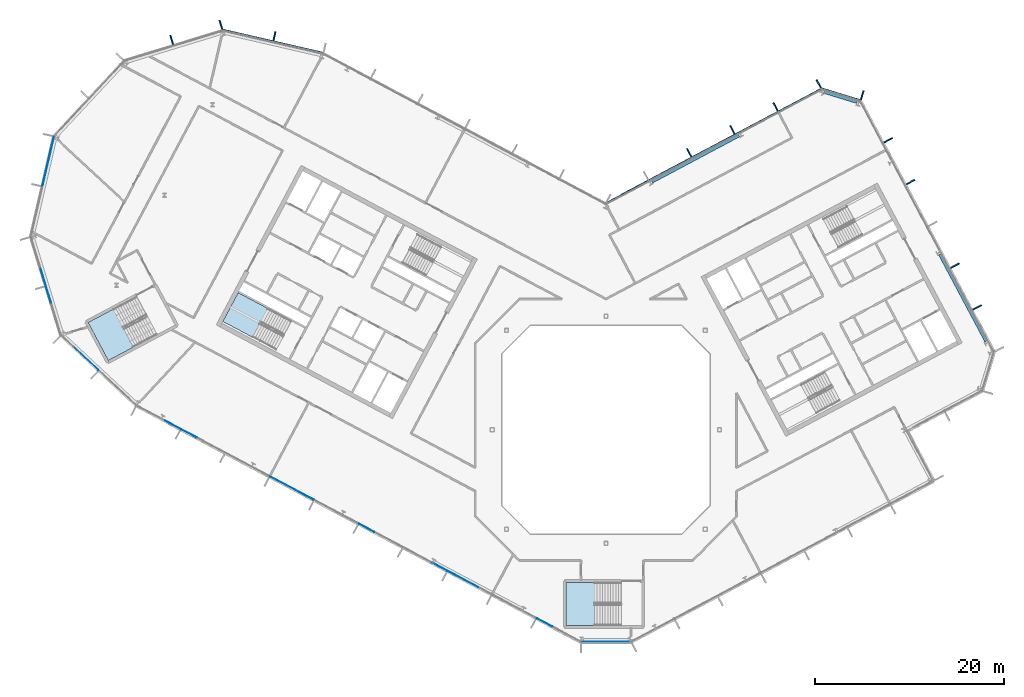
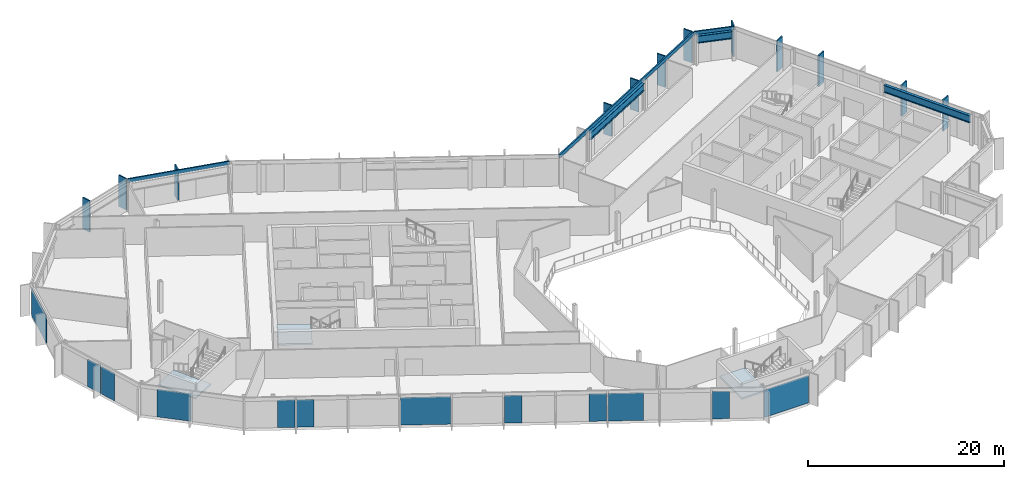
# One storey, part 10 of 26: 15 members, 12 plates, 3 beams, 3 slabs, 13 elements without a shape of their own.
"""IFC4 building model written with IfcOpenShell, lengths in metres."""

import ifcopenshell
import ifcopenshell.guid

model = None  # the IFC model being written
_history = None  # IfcOwnerHistory: only IFC2X3 demands one
_inside = {}  # id of a spatial element -> (the spatial element, [elements in it])
_under = {}  # id of a project, library or spatial element -> (it, [spatial elements below it])
_declared = {}  # id of a project -> (the project, [libraries it declares])
_typed = {}  # id of a type object -> (the type object, [elements of that type])
_made_of = {}  # id of a material, layer set ... -> (it, [elements and type objects made of it])


def new_model(schema):
    """Start an empty IFC model of exactly this schema.

    Asked for "IFC4X3", IfcOpenShell would pick the latest addendum, in which some entities
    have other attributes; the version numbers below select the first issue.
    IFC2X3 requires an IfcOwnerHistory on every rooted entity: one is made here for all.
    """
    global model, _history
    if schema == "IFC4X3":
        model = ifcopenshell.file(schema_version=(4, 3, 0, 0))
    else:
        model = ifcopenshell.file(schema=schema)
    _inside.clear()
    _under.clear()
    _declared.clear()
    _typed.clear()
    _made_of.clear()
    _history = None
    if model.schema == "IFC2X3":
        org = make("IfcOrganization", Name="unknown")
        user = make(
            "IfcPersonAndOrganization",
            ThePerson=make("IfcPerson", FamilyName="unknown"),
            TheOrganization=org,
        )
        app = make(
            "IfcApplication",
            ApplicationDeveloper=org,
            Version="unknown",
            ApplicationFullName="unknown",
            ApplicationIdentifier="unknown",
        )
        _history = make(
            "IfcOwnerHistory",
            OwningUser=user,
            OwningApplication=app,
            ChangeAction="ADDED",
            CreationDate=0,
        )
    return model


def make(cls, **values):
    """One entity of the class cls with the attributes given. An attribute that is None is left unset."""
    return model.create_entity(
        cls, **{name: value for name, value in values.items() if value is not None}
    )


def rooted(cls, **values):
    """An entity with a GlobalId (a new one), such as an element, a storey or a relation."""
    return make(cls, GlobalId=ifcopenshell.guid.new(), OwnerHistory=_history, **values)


def si_unit(unit_type, name, prefix=None):
    """IfcSIUnit, for example si_unit("LENGTHUNIT", "METRE", prefix="MILLI")."""
    return make("IfcSIUnit", UnitType=unit_type, Prefix=prefix, Name=name)


def assignment(units):
    """IfcUnitAssignment: the units of a project."""
    return None if units is None else make("IfcUnitAssignment", Units=units)


def point(xyz):
    """IfcCartesianPoint."""
    return None if xyz is None else make("IfcCartesianPoint", Coordinates=xyz)


def direction(xyz):
    """IfcDirection."""
    return None if xyz is None else make("IfcDirection", DirectionRatios=xyz)


def frame(location, z_axis=None, x_axis=None):
    """IfcAxis2Placement3D, a coordinate frame: its origin and axes. An axis left out is left unset."""
    return make(
        "IfcAxis2Placement3D",
        Location=point(location),
        Axis=direction(z_axis),
        RefDirection=direction(x_axis),
    )


def frame_2d(location, x_axis=None):
    """IfcAxis2Placement2D, a coordinate frame in the plane: its origin and x axis."""
    return make(
        "IfcAxis2Placement2D", Location=point(location), RefDirection=direction(x_axis)
    )


def origin():
    """The frame at (0, 0, 0) with its axes left unset."""
    return frame((0.0, 0.0, 0.0))


def origin_2d():
    """The frame at (0, 0) in the plane with its x axis left unset."""
    return frame_2d((0.0, 0.0))


def place(relative_to, where):
    """IfcLocalPlacement: puts the frame where relative to a parent placement (None: the world)."""
    return make(
        "IfcLocalPlacement", PlacementRelTo=relative_to, RelativePlacement=where
    )


def context(
    kind, dimensions, precision=None, world=None, true_north=None, identifier=None
):
    """IfcGeometricRepresentationContext, for example the 3D "Model" context."""
    return make(
        "IfcGeometricRepresentationContext",
        ContextIdentifier=identifier,
        ContextType=kind,
        CoordinateSpaceDimension=dimensions,
        Precision=precision,
        WorldCoordinateSystem=world,
        TrueNorth=true_north,
    )


def subcontext(parent, identifier, kind, view, scale=None):
    """IfcGeometricRepresentationSubContext, for example "Body" below "Model"."""
    return make(
        "IfcGeometricRepresentationSubContext",
        ContextIdentifier=identifier,
        ContextType=kind,
        ParentContext=parent,
        TargetScale=scale,
        TargetView=view,
    )


def project(units=None, contexts=None):
    """IfcProject with its units and contexts."""
    return rooted(
        "IfcProject",
        Name="project",
        RepresentationContexts=contexts,
        UnitsInContext=assignment(units),
    )


def spatial(cls, under=None, at=None, **own):
    """A site, building, storey or space (cls), placed at a placement, below another one or the project."""
    s = rooted(cls, ObjectPlacement=at, **own)
    if under is not None:
        _under.setdefault(under.id(), (under, []))[1].append(s)
    return s


def polyline(points):
    """IfcPolyline through the points."""
    return make("IfcPolyline", Points=[point(p) for p in points])


def profile(cls, at=None, kind="AREA", **sizes):
    """A parametric profile (cls). Its sizes go by their IFC names, for example OverallWidth=200.0."""
    return make(cls, ProfileType=kind, Position=at, **sizes)


def rectangle(**sizes):
    """IfcRectangleProfileDef."""
    return profile("IfcRectangleProfileDef", **sizes)


def i_section(**sizes):
    """IfcIShapeProfileDef."""
    return profile("IfcIShapeProfileDef", **sizes)


def outline(outer, holes=None, kind="AREA"):
    """IfcArbitraryClosedProfileDef: a profile drawn as a closed curve; with holes, ...WithVoids."""
    if holes is None:
        return make("IfcArbitraryClosedProfileDef", ProfileType=kind, OuterCurve=outer)
    return make(
        "IfcArbitraryProfileDefWithVoids",
        ProfileType=kind,
        OuterCurve=outer,
        InnerCurves=holes,
    )


def extrude(swept, where, along, depth):
    """IfcExtrudedAreaSolid: the profile swept, set in the frame where, extruded along a direction by depth."""
    return make(
        "IfcExtrudedAreaSolid",
        SweptArea=swept,
        Position=where,
        ExtrudedDirection=direction(along),
        Depth=depth,
    )


def shape(context_of_items, identifier, shape_type, items):
    """IfcShapeRepresentation: the items that make up one representation, for example the "Body"."""
    return make(
        "IfcShapeRepresentation",
        ContextOfItems=context_of_items,
        RepresentationIdentifier=identifier,
        RepresentationType=shape_type,
        Items=items,
    )


def material(Name=None, Category=None):
    """IfcMaterial."""
    return make("IfcMaterial", Name=Name, Category=Category)


def layer(
    of_material, thickness, ventilated=None, Name=None, Category=None, Priority=None
):
    """IfcMaterialLayer: one layer of a wall or slab, of a material (None: an air gap)."""
    return make(
        "IfcMaterialLayer",
        Material=of_material,
        LayerThickness=thickness,
        IsVentilated=ventilated,
        Name=Name,
        Category=Category,
        Priority=Priority,
    )


def layer_set(layers, Name=None):
    """IfcMaterialLayerSet."""
    return make("IfcMaterialLayerSet", MaterialLayers=layers, LayerSetName=Name)


def material_profile(
    of_material, cross_section, Name=None, Category=None, Priority=None
):
    """IfcMaterialProfile: a cross section and its material."""
    return make(
        "IfcMaterialProfile",
        Name=Name,
        Material=of_material,
        Profile=cross_section,
        Priority=Priority,
        Category=Category,
    )


def profile_set(profiles, Name=None, composite=None):
    """IfcMaterialProfileSet."""
    return make(
        "IfcMaterialProfileSet",
        Name=Name,
        MaterialProfiles=profiles,
        CompositeProfile=composite,
    )


def made_of(thing, what):
    """Note that an element or type object is made of a material, layer set ...; save() writes the relation."""
    if what is not None:
        _made_of.setdefault(what.id(), (what, []))[1].append(thing)
    return thing


def type_object(cls, material=None, **own):
    """A type object (cls), such as IfcWallType, which elements share."""
    return made_of(rooted(cls, **own), material)


def element(
    cls,
    number,
    at=None,
    inside=None,
    cuts=None,
    type_object=None,
    material=None,
    context=None,
    identifier="Body",
    shape_type=None,
    held_by="IfcProductDefinitionShape",
    body=None,
    shapes=None,
    **own,
):
    """One element of the class cls, such as IfcWall. Its Tag is "e" and its number.

    at: its placement. inside: the storey or other place that contains it. cuts: it is an
    opening in that element (IfcRelVoidsElement). A single representation is given by context,
    identifier, shape_type and body (its items); several are given by shapes. held_by: the class
    of the entity that holds the representations. save() writes the other relations.
    """
    e = rooted(cls, Tag="e%d" % number, ObjectPlacement=at, **own)
    if body is not None:
        shapes = [shape(context, identifier, shape_type, body)]
    if shapes is not None:
        e.Representation = make(held_by, Representations=shapes)
    if inside is not None:
        _inside.setdefault(inside.id(), (inside, []))[1].append(e)
    if cuts is not None:
        rooted(
            "IfcRelVoidsElement", RelatingBuildingElement=cuts, RelatedOpeningElement=e
        )
    if type_object is not None:
        _typed.setdefault(type_object.id(), (type_object, []))[1].append(e)
    return made_of(e, material)


def aggregate(whole, parts):
    """IfcRelAggregates: a whole, such as a stair, and the parts it consists of."""
    return rooted("IfcRelAggregates", RelatingObject=whole, RelatedObjects=parts)


def save(model, path):
    """Write the relations noted so far, then the file.

    IfcRelAggregates (storeys below a building ...), IfcRelContainedInSpatialStructure (elements
    in a storey), IfcRelDefinesByType, IfcRelAssociatesMaterial and IfcRelDeclares: one each for
    every whole, place, type object, material and project.
    """
    for whole, parts in _under.values():
        aggregate(whole, parts)
    for where, things in _inside.values():
        rooted(
            "IfcRelContainedInSpatialStructure",
            RelatedElements=things,
            RelatingStructure=where,
        )
    for kind, things in _typed.values():
        rooted("IfcRelDefinesByType", RelatedObjects=things, RelatingType=kind)
    for what, things in _made_of.values():
        rooted("IfcRelAssociatesMaterial", RelatedObjects=things, RelatingMaterial=what)
    for by, libraries in _declared.values():
        rooted("IfcRelDeclares", RelatingContext=by, RelatedDefinitions=libraries)
    model.write(path)


model = new_model("IFC4")

# Units and contexts
model_context = context("Model", 3, precision=1e-05, world=origin(), true_north=direction((0.0, 1.0)))
body_context = subcontext(model_context, "Body", "Model", "MODEL_VIEW")
ifc_project = project(units=[si_unit("LENGTHUNIT", "METRE"), si_unit("AREAUNIT", "SQUARE_METRE"), si_unit("VOLUMEUNIT", "CUBIC_METRE"), si_unit("PLANEANGLEUNIT", "RADIAN"), si_unit("MASSUNIT", "GRAM", prefix="KILO")], contexts=[model_context])

# Site, building, storey
site_placement = place(None, origin())
site = spatial("IfcSite", under=ifc_project, at=site_placement, CompositionType="ELEMENT")
building_placement = place(site_placement, origin())
building = spatial("IfcBuilding", under=site, at=building_placement, Name="Cormorant Relay Tower", CompositionType="ELEMENT")
storey_placement = place(building_placement, frame((0.0, 0.0, 277.5)))
storey = spatial("IfcBuildingStorey", under=building, at=storey_placement, Name="L62", CompositionType="ELEMENT", Elevation=277.5)

# Curtain wall, members
ifc_material_1 = material(Name="Aluminium 6063-T6 anodised bronze", Category="aluminium")
ifc_layer_1 = layer(ifc_material_1, 0.199951171875)
ifc_layer_set_1 = layer_set([ifc_layer_1], Name="CW1 unitised bronze curtain wall with vertical fins")
curtain_wall_type = type_object("IfcCurtainWallType", Name="CW1 unitised bronze curtain wall with vertical fins", PredefinedType="NOTDEFINED", material=ifc_layer_set_1)
curtain_wall_1_placement = place(storey_placement, origin())
curtain_wall_1 = element("IfcCurtainWall", 1, at=curtain_wall_1_placement, inside=storey, type_object=curtain_wall_type, Name="CW1 curtain wall 6", PredefinedType="NOTDEFINED")
ifc_material_2 = material(Name="Aluminium 6063-T6 anodised bronze", Category="aluminium")
ifc_material_profile_1 = material_profile(ifc_material_2, rectangle(XDim=0.14990234375, YDim=1.0, at=origin_2d()), Name="AL 150x1000")
ifc_profile_set_1 = profile_set([ifc_material_profile_1], Name="Aluminium 6063-T6 anodised bronze")
member_type_1 = type_object("IfcMemberType", Name="CW1 bronze fin mullion 150 x 1000", PredefinedType="MULLION", material=ifc_profile_set_1)
member_1_placement = place(storey_placement, frame((39.222412109375, 12.927001953125, 0.0), z_axis=(0.0, 0.0, 1.0), x_axis=(-0.469471562786, 0.882947592859, 0.0)))
member_1 = element("IfcMember", 2, at=member_1_placement, type_object=member_type_1, Name="CW1 fin 6.2", PredefinedType="MULLION", context=body_context, shape_type="SweptSolid", body=[
    extrude(rectangle(XDim=0.14990234375, YDim=1.0, at=origin_2d()), origin(), (0.0, 0.0, 1.0), 3.89990234375),
])
member_2_placement = place(storey_placement, frame((36.875, 17.341552734375, 0.0), z_axis=(0.0, 0.0, 1.0), x_axis=(-0.469471562786, 0.882947592859, 0.0)))
member_2 = element("IfcMember", 3, at=member_2_placement, type_object=member_type_1, Name="CW1 fin 6.3", PredefinedType="MULLION", context=body_context, shape_type="SweptSolid", body=[
    extrude(rectangle(XDim=0.14990234375, YDim=1.0, at=origin_2d()), origin(), (0.0, 0.0, 1.0), 3.89990234375),
])
member_3_placement = place(storey_placement, frame((32.18017578125, 26.171142578125, 0.0), z_axis=(0.0, 0.0, 1.0), x_axis=(-0.469471562786, 0.882947592859, 0.0)))
member_3 = element("IfcMember", 4, at=member_3_placement, type_object=member_type_1, Name="CW1 fin 6.5", PredefinedType="MULLION", context=body_context, shape_type="SweptSolid", body=[
    extrude(rectangle(XDim=0.14990234375, YDim=1.0, at=origin_2d()), origin(), (0.0, 0.0, 1.0), 3.89990234375),
])
member_4_placement = place(storey_placement, frame((29.832763671875, 30.585693359375, 0.0), z_axis=(0.0, 0.0, 1.0), x_axis=(-0.469471562786, 0.882947592859, 0.0)))
member_4 = element("IfcMember", 5, at=member_4_placement, type_object=member_type_1, Name="CW1 fin 6.6", PredefinedType="MULLION", context=body_context, shape_type="SweptSolid", body=[
    extrude(rectangle(XDim=0.14990234375, YDim=1.0, at=origin_2d()), origin(), (0.0, 0.0, 1.0), 3.89990234375),
])
aggregate(curtain_wall_1, [member_1, member_2, member_3, member_4])

# Curtain wall, member
curtain_wall_2_placement = place(storey_placement, origin())
curtain_wall_2 = element("IfcCurtainWall", 6, at=curtain_wall_2_placement, inside=storey, type_object=curtain_wall_type, Name="CW1 curtain wall 7", PredefinedType="NOTDEFINED")
member_5_placement = place(storey_placement, frame((27.072021484375, 35.34130859375, 0.0), z_axis=(0.0, 0.0, 1.0), x_axis=(-0.956304755963, 0.292371704723, 0.0)))
member_5 = element("IfcMember", 7, at=member_5_placement, type_object=member_type_1, Name="CW1 fin 7.1", PredefinedType="MULLION", context=body_context, shape_type="SweptSolid", body=[
    extrude(rectangle(XDim=0.14990234375, YDim=1.0, at=origin_2d()), origin(), (0.0, 0.0, 1.0), 3.89990234375),
])

# Curtain wall, members
curtain_wall_3_placement = place(storey_placement, origin())
curtain_wall_3 = element("IfcCurtainWall", 8, at=curtain_wall_3_placement, inside=storey, type_object=curtain_wall_type, Name="CW1 curtain wall 8", PredefinedType="NOTDEFINED")
member_6_placement = place(storey_placement, frame((22.4814453125, 36.530517578125, 0.0), z_axis=(0.0, 0.0, 1.0), x_axis=(-0.882947592859, -0.469471562786, 0.0)))
member_6 = element("IfcMember", 9, at=member_6_placement, type_object=member_type_1, Name="CW1 fin 8.1", PredefinedType="MULLION", context=body_context, shape_type="SweptSolid", body=[
    extrude(rectangle(XDim=0.14990234375, YDim=1.0, at=origin_2d()), origin(), (0.0, 0.0, 1.0), 3.89990234375),
])
member_7_placement = place(storey_placement, frame((17.91943359375, 34.104736328125, 0.0), z_axis=(0.0, 0.0, 1.0), x_axis=(-0.882947592859, -0.469471562786, 0.0)))
member_7 = element("IfcMember", 10, at=member_7_placement, type_object=member_type_1, Name="CW1 fin 8.2", PredefinedType="MULLION", context=body_context, shape_type="SweptSolid", body=[
    extrude(rectangle(XDim=0.14990234375, YDim=1.0, at=origin_2d()), origin(), (0.0, 0.0, 1.0), 3.89990234375),
])
member_8_placement = place(storey_placement, frame((13.357421875, 31.67919921875, 0.0), z_axis=(0.0, 0.0, 1.0), x_axis=(-0.882947592859, -0.469471562786, 0.0)))
member_8 = element("IfcMember", 11, at=member_8_placement, type_object=member_type_1, Name="CW1 fin 8.3", PredefinedType="MULLION", context=body_context, shape_type="SweptSolid", body=[
    extrude(rectangle(XDim=0.14990234375, YDim=1.0, at=origin_2d()), origin(), (0.0, 0.0, 1.0), 3.89990234375),
])
member_9_placement = place(storey_placement, frame((8.79541015625, 29.25341796875, 0.0), z_axis=(0.0, 0.0, 1.0), x_axis=(-0.882947592859, -0.469471562786, 0.0)))
member_9 = element("IfcMember", 12, at=member_9_placement, type_object=member_type_1, Name="CW1 fin 8.4", PredefinedType="MULLION", context=body_context, shape_type="SweptSolid", body=[
    extrude(rectangle(XDim=0.14990234375, YDim=1.0, at=origin_2d()), origin(), (0.0, 0.0, 1.0), 3.89990234375),
])

# Curtain wall, member
curtain_wall_4_placement = place(storey_placement, origin())
curtain_wall_4 = element("IfcCurtainWall", 13, at=curtain_wall_4_placement, inside=storey, type_object=curtain_wall_type, Name="CW1 curtain wall 10", PredefinedType="NOTDEFINED")
member_10_placement = place(storey_placement, frame((-35.01220703125, 41.57275390625, 0.0), z_axis=(0.0, 0.0, 1.0), x_axis=(-0.974370064785, 0.224951054344, 0.0)))
member_10 = element("IfcMember", 14, at=member_10_placement, type_object=member_type_1, Name="CW1 fin 10.2", PredefinedType="MULLION", context=body_context, shape_type="SweptSolid", body=[
    extrude(rectangle(XDim=0.14990234375, YDim=1.0, at=origin_2d()), origin(), (0.0, 0.0, 1.0), 3.89990234375),
])

# Curtain wall, members
curtain_wall_5_placement = place(storey_placement, origin())
curtain_wall_5 = element("IfcCurtainWall", 15, at=curtain_wall_5_placement, inside=storey, type_object=curtain_wall_type, Name="CW1 curtain wall 11", PredefinedType="NOTDEFINED")
member_11_placement = place(storey_placement, frame((-40.670166015625, 42.78271484375, 0.0), z_axis=(0.0, 0.0, 1.0), x_axis=(-0.956304755963, -0.292371704723, 0.0)))
member_11 = element("IfcMember", 16, at=member_11_placement, type_object=member_type_1, Name="CW1 fin 11.1", PredefinedType="MULLION", context=body_context, shape_type="SweptSolid", body=[
    extrude(rectangle(XDim=0.14990234375, YDim=1.0, at=origin_2d()), origin(), (0.0, 0.0, 1.0), 3.89990234375),
])
member_12_placement = place(storey_placement, frame((-45.867919921875, 41.193603515625, 0.0), z_axis=(0.0, 0.0, 1.0), x_axis=(-0.956304755963, -0.292371704723, 0.0)))
member_12 = element("IfcMember", 17, at=member_12_placement, type_object=member_type_1, Name="CW1 fin 11.2", PredefinedType="MULLION", context=body_context, shape_type="SweptSolid", body=[
    extrude(rectangle(XDim=0.14990234375, YDim=1.0, at=origin_2d()), origin(), (0.0, 0.0, 1.0), 3.89990234375),
])
aggregate(curtain_wall_5, [member_11, member_12])

# Member
ifc_material_3 = material(Name="Aluminium 6063-T6 anodised bronze", Category="aluminium")
ifc_material_profile_2 = material_profile(ifc_material_3, rectangle(XDim=0.159912109375, YDim=0.449951171875, at=origin_2d()), Name="AL 160x450")
ifc_profile_set_2 = profile_set([ifc_material_profile_2], Name="Aluminium 6063-T6 anodised bronze")
member_type_2 = type_object("IfcMemberType", Name="CW1 bronze transom 160 x 450", PredefinedType="USERDEFINED", material=ifc_profile_set_2)
member_13_placement = place(storey_placement, frame((26.902587890625, 34.78662109375, 3.675048828125), z_axis=(-0.956303761594, 0.292374957137, 0.0), x_axis=(-0.292374957137, -0.956303761594, 0.0)))
member_13 = element("IfcMember", 18, at=member_13_placement, type_object=member_type_2, Name="CW1 transom 7", ObjectType="TRANSOM", PredefinedType="USERDEFINED", context=body_context, shape_type="SweptSolid", body=[
    extrude(rectangle(XDim=0.159912109375, YDim=0.449951171875, at=origin_2d()), origin(), (0.0, 0.0, 1.0), 4.24267578125),
])

aggregate(curtain_wall_2, [member_5, member_13])

member_14_placement = place(storey_placement, frame((22.75390625, 36.018310546875, 3.675048828125), z_axis=(-0.882948156597, -0.469470502547, 0.0), x_axis=(0.469470502547, -0.882948156597, 0.0)))
member_14 = element("IfcMember", 19, at=member_14_placement, type_object=member_type_2, Name="CW1 transom 8", ObjectType="TRANSOM", PredefinedType="USERDEFINED", context=body_context, shape_type="SweptSolid", body=[
    extrude(rectangle(XDim=0.159912109375, YDim=0.449951171875, at=origin_2d()), origin(), (0.0, 0.0, 1.0), 25.834228515625),
])

aggregate(curtain_wall_3, [member_6, member_7, member_8, member_9, member_14])

member_15_placement = place(storey_placement, frame((-29.8466796875, 39.784912109375, 3.675048828125), z_axis=(-0.974365070969, 0.224972683844, 0.0), x_axis=(-0.224972683844, -0.974365070969, 0.0)))
member_15 = element("IfcMember", 20, at=member_15_placement, type_object=member_type_2, Name="CW1 transom 10", ObjectType="TRANSOM", PredefinedType="USERDEFINED", context=body_context, shape_type="SweptSolid", body=[
    extrude(rectangle(XDim=0.159912109375, YDim=0.449951171875, at=origin_2d()), origin(), (0.0, 0.0, 1.0), 10.870361328125),
])

aggregate(curtain_wall_4, [member_10, member_15])

# Beams
ifc_material_4 = material(Name="Steel ASTM A992 (Fy 345 MPa)", Category="steel")
ifc_material_profile_3 = material_profile(ifc_material_4, i_section(OverallWidth=0.307373046875, OverallDepth=0.927001953125, WebThickness=0.019287109375, FlangeThickness=0.031982421875, FilletRadius=0.01904296875, at=origin_2d()), Name="W920x289")
ifc_profile_set_3 = profile_set([ifc_material_profile_3], Name="Steel ASTM A992 (Fy 345 MPa)")
beam_type = type_object("IfcBeamType", Name="Spandrel W920x289", PredefinedType="SPANDREL", material=ifc_profile_set_3)
beam_1_placement = place(storey_placement, frame((40.1591796875, 9.3466796875, 3.076416015625), z_axis=(-0.469474391681, 0.882946088703, 0.0), x_axis=(-0.882946088703, -0.469474391681, 0.0)))
element("IfcBeam", 21, at=beam_1_placement, inside=storey, type_object=beam_type, Name="Spandrel beam L62-006", PredefinedType="SPANDREL", context=body_context, shape_type="SweptSolid", body=[
    extrude(i_section(OverallWidth=0.307373046875, OverallDepth=0.927001953125, WebThickness=0.019287109375, FlangeThickness=0.031982421875, FilletRadius=0.01904296875, at=origin_2d()), origin(), (0.0, 0.0, 1.0), 10.401611328125),
])
beam_2_placement = place(storey_placement, frame((26.512451171875, 34.619873046875, 3.076416015625), z_axis=(-0.956313678807, 0.292342517821, 0.0), x_axis=(-0.292342517821, -0.956313678807, 0.0)))
element("IfcBeam", 22, at=beam_2_placement, inside=storey, type_object=beam_type, Name="Spandrel beam L62-007", PredefinedType="SPANDREL", context=body_context, shape_type="SweptSolid", body=[
    extrude(i_section(OverallWidth=0.307373046875, OverallDepth=0.927001953125, WebThickness=0.019287109375, FlangeThickness=0.031982421875, FilletRadius=0.01904296875, at=origin_2d()), origin(), (0.0, 0.0, 1.0), 3.65185546875),
])
beam_3_placement = place(storey_placement, frame((14.05322265625, 31.082275390625, 3.076416015625), z_axis=(-0.882950644937, -0.469465822617, 0.0), x_axis=(0.469465822617, -0.882950644937, 0.0)))
element("IfcBeam", 23, at=beam_3_placement, inside=storey, type_object=beam_type, Name="Spandrel beam L62-008", PredefinedType="SPANDREL", context=body_context, shape_type="SweptSolid", body=[
    extrude(i_section(OverallWidth=0.307373046875, OverallDepth=0.927001953125, WebThickness=0.019287109375, FlangeThickness=0.031982421875, FilletRadius=0.01904296875, at=origin_2d()), origin(), (0.0, 0.0, 1.0), 10.4013671875),
])

# Curtain wall, plates
curtain_wall_6_placement = place(storey_placement, origin())
curtain_wall_6 = element("IfcCurtainWall", 24, at=curtain_wall_6_placement, inside=storey, type_object=curtain_wall_type, Name="CW1 curtain wall 14", PredefinedType="NOTDEFINED")
ifc_material_5 = material(Name="Tinted laminated glass", Category="glass")
ifc_layer_2 = layer(ifc_material_5, 0.0400390625)
ifc_layer_set_2 = layer_set([ifc_layer_2], Name="CW1 tinted vision panel 1800 module")
plate_type_1 = type_object("IfcPlateType", Name="CW1 tinted vision panel 1800 module", PredefinedType="CURTAIN_PANEL", material=ifc_layer_set_2)
plate_1_placement = place(storey_placement, frame((-59.434814453125, 16.122314453125, 0.0), z_axis=(0.0, 0.0, 1.0), x_axis=(0.292371704723, -0.956304755963, 0.0)))
plate_1 = element("IfcPlate", 25, at=plate_1_placement, type_object=plate_type_1, Name="CW1 panel V01", PredefinedType="CURTAIN_PANEL", context=body_context, shape_type="SweptSolid", body=[
    extrude(rectangle(XDim=1.800048828125, YDim=0.0400390625, at=origin_2d()), origin(), (0.0, 0.0, 1.0), 3.449951171875),
])
plate_2_placement = place(storey_placement, frame((-58.86474609375, 14.25732421875, 0.0), z_axis=(0.0, 0.0, 1.0), x_axis=(0.292371704723, -0.956304755963, 0.0)))
plate_2 = element("IfcPlate", 26, at=plate_2_placement, type_object=plate_type_1, Name="CW1 panel V02", PredefinedType="CURTAIN_PANEL", context=body_context, shape_type="SweptSolid", body=[
    extrude(rectangle(XDim=1.800048828125, YDim=0.0400390625, at=origin_2d()), origin(), (0.0, 0.0, 1.0), 3.449951171875),
])
aggregate(curtain_wall_6, [plate_1, plate_2])

curtain_wall_7_placement = place(storey_placement, origin())
curtain_wall_7 = element("IfcCurtainWall", 27, at=curtain_wall_7_placement, inside=storey, type_object=curtain_wall_type, Name="CW1 curtain wall 16", PredefinedType="NOTDEFINED")
plate_3_placement = place(storey_placement, frame((-45.767578125, 0.5283203125, 0.0), z_axis=(0.0, 0.0, 1.0), x_axis=(0.882947592859, -0.469471562786, 0.0)))
plate_3 = element("IfcPlate", 28, at=plate_3_placement, type_object=plate_type_1, Name="CW1 panel V01", PredefinedType="CURTAIN_PANEL", context=body_context, shape_type="SweptSolid", body=[
    extrude(rectangle(XDim=1.800048828125, YDim=0.0400390625, at=origin_2d()), origin(), (0.0, 0.0, 1.0), 3.449951171875),
])
plate_4_placement = place(storey_placement, frame((-44.0458984375, -0.38720703125, 0.0), z_axis=(0.0, 0.0, 1.0), x_axis=(0.882947592859, -0.469471562786, 0.0)))
plate_4 = element("IfcPlate", 29, at=plate_4_placement, type_object=plate_type_1, Name="CW1 panel V02", PredefinedType="CURTAIN_PANEL", context=body_context, shape_type="SweptSolid", body=[
    extrude(rectangle(XDim=1.800048828125, YDim=0.0400390625, at=origin_2d()), origin(), (0.0, 0.0, 1.0), 3.449951171875),
])
plate_5_placement = place(storey_placement, frame((-25.268798828125, -10.37109375, 0.0), z_axis=(0.0, 0.0, 1.0), x_axis=(0.882947592859, -0.469471562786, 0.0)))
plate_5 = element("IfcPlate", 30, at=plate_5_placement, type_object=plate_type_1, Name="CW1 panel V06", PredefinedType="CURTAIN_PANEL", context=body_context, shape_type="SweptSolid", body=[
    extrude(rectangle(XDim=1.800048828125, YDim=0.0400390625, at=origin_2d()), origin(), (0.0, 0.0, 1.0), 3.449951171875),
])
plate_6_placement = place(storey_placement, frame((-17.601806640625, -14.447509765625, 0.0), z_axis=(0.0, 0.0, 1.0), x_axis=(0.882947592859, -0.469471562786, 0.0)))
plate_6 = element("IfcPlate", 31, at=plate_6_placement, type_object=plate_type_1, Name="CW1 panel V08", PredefinedType="CURTAIN_PANEL", context=body_context, shape_type="SweptSolid", body=[
    extrude(rectangle(XDim=1.800048828125, YDim=0.0400390625, at=origin_2d()), origin(), (0.0, 0.0, 1.0), 3.449951171875),
])
plate_7_placement = place(storey_placement, frame((-6.49169921875, -20.35498046875, 0.0), z_axis=(0.0, 0.0, 1.0), x_axis=(0.882947592859, -0.469471562786, 0.0)))
plate_7 = element("IfcPlate", 32, at=plate_7_placement, type_object=plate_type_1, Name="CW1 panel V11", PredefinedType="CURTAIN_PANEL", context=body_context, shape_type="SweptSolid", body=[
    extrude(rectangle(XDim=1.800048828125, YDim=0.0400390625, at=origin_2d()), origin(), (0.0, 0.0, 1.0), 3.449951171875),
])

# Curtain wall, plate
curtain_wall_8_placement = place(storey_placement, origin())
curtain_wall_8 = element("IfcCurtainWall", 33, at=curtain_wall_8_placement, inside=storey, type_object=curtain_wall_type, Name="CW1 curtain wall 15", PredefinedType="NOTDEFINED")
ifc_material_6 = material(Name="Tinted laminated glass", Category="glass")
ifc_layer_3 = layer(ifc_material_6, 0.0400390625)
ifc_layer_set_3 = layer_set([ifc_layer_3], Name="CW1 tinted vision panel 3600 module")
plate_type_2 = type_object("IfcPlateType", Name="CW1 tinted vision panel 3600 module", PredefinedType="CURTAIN_PANEL", material=ifc_layer_set_3)
plate_8_placement = place(storey_placement, frame((-54.951416015625, 7.55517578125, 0.0), z_axis=(0.0, 0.0, 1.0), x_axis=(0.731353701619, -0.681998360062, 0.0)))
plate_8 = element("IfcPlate", 34, at=plate_8_placement, type_object=plate_type_2, Name="CW1 panel V01", PredefinedType="CURTAIN_PANEL", context=body_context, shape_type="SweptSolid", body=[
    extrude(rectangle(XDim=3.60009765625, YDim=0.0400390625, at=origin_2d()), origin(), (0.0, 0.0, 1.0), 3.449951171875),
])
aggregate(curtain_wall_8, [plate_8])

# Plate
plate_9_placement = place(storey_placement, frame((-15.08544921875, -15.785400390625, 0.0), z_axis=(0.0, 0.0, 1.0), x_axis=(0.882947592859, -0.469471562786, 0.0)))
plate_9 = element("IfcPlate", 35, at=plate_9_placement, type_object=plate_type_2, Name="CW1 panel V09", PredefinedType="CURTAIN_PANEL", context=body_context, shape_type="SweptSolid", body=[
    extrude(rectangle(XDim=3.60009765625, YDim=0.0400390625, at=origin_2d()), origin(), (0.0, 0.0, 1.0), 3.449951171875),
])

# Curtain wall, plate
curtain_wall_9_placement = place(storey_placement, origin())
curtain_wall_9 = element("IfcCurtainWall", 36, at=curtain_wall_9_placement, inside=storey, type_object=curtain_wall_type, Name="CW1 curtain wall 1", PredefinedType="NOTDEFINED")
ifc_material_7 = material(Name="Tinted laminated glass", Category="glass")
ifc_layer_4 = layer(ifc_material_7, 0.0400390625)
ifc_layer_set_4 = layer_set([ifc_layer_4], Name="CW1 tinted vision panel 5400 module")
plate_type_3 = type_object("IfcPlateType", Name="CW1 tinted vision panel 5400 module", PredefinedType="CURTAIN_PANEL", material=ifc_layer_set_4)
plate_10_placement = place(storey_placement, frame((0.03759765625, -22.3955078125, 0.0), z_axis=(0.0, 0.0, 1.0), x_axis=(1.0, 0.0, 0.0)))
plate_10 = element("IfcPlate", 37, at=plate_10_placement, type_object=plate_type_3, Name="CW1 panel V00", PredefinedType="CURTAIN_PANEL", context=body_context, shape_type="SweptSolid", body=[
    extrude(rectangle(XDim=5.22265625, YDim=0.0400390625, at=origin_2d()), origin(), (0.0, 0.0, 1.0), 3.449951171875),
])
aggregate(curtain_wall_9, [plate_10])

curtain_wall_10_placement = place(storey_placement, origin())
curtain_wall_10 = element("IfcCurtainWall", 38, at=curtain_wall_10_placement, inside=storey, type_object=curtain_wall_type, Name="CW1 curtain wall 13", PredefinedType="NOTDEFINED")
plate_11_placement = place(storey_placement, frame((-58.905517578125, 28.341796875, 0.0), z_axis=(0.0, 0.0, 1.0), x_axis=(-0.224951054344, -0.974370064785, 0.0)))
plate_11 = element("IfcPlate", 39, at=plate_11_placement, type_object=plate_type_3, Name="CW1 panel V00", PredefinedType="CURTAIN_PANEL", context=body_context, shape_type="SweptSolid", body=[
    extrude(rectangle(XDim=5.28515625, YDim=0.0400390625, at=origin_2d()), origin(), (0.0, 0.0, 1.0), 3.449951171875),
])
aggregate(curtain_wall_10, [plate_11])

# Plate
plate_12_placement = place(storey_placement, frame((-33.1708984375, -6.169189453125, 0.0), z_axis=(0.0, 0.0, 1.0), x_axis=(0.882947592859, -0.469471562786, 0.0)))
plate_12 = element("IfcPlate", 40, at=plate_12_placement, type_object=plate_type_3, Name="CW1 panel V04", PredefinedType="CURTAIN_PANEL", context=body_context, shape_type="SweptSolid", body=[
    extrude(rectangle(XDim=5.16650390625, YDim=0.0400390625, at=origin_2d()), origin(), (0.0, 0.0, 1.0), 3.449951171875),
])

aggregate(curtain_wall_7, [plate_3, plate_4, plate_12, plate_5, plate_6, plate_9, plate_7])

# Stair, slab
ifc_material_8 = material(Name="Concrete 40 MPa", Category="concrete")
stair_type_1 = type_object("IfcStairType", Name="Exit stair 1500", PredefinedType="HALF_TURN_STAIR", material=ifc_material_8)
stair_1_placement = place(storey_placement, origin())
stair_1 = element("IfcStair", 41, at=stair_1_placement, inside=storey, type_object=stair_type_1, Name="L62 Stair", PredefinedType="HALF_TURN_STAIR")
ifc_material_9 = material(Name="Concrete 40 MPa", Category="concrete")
ifc_layer_5 = layer(ifc_material_9, 0.199951171875)
ifc_layer_set_5 = layer_set([ifc_layer_5], Name="Exit stair landing 200")
slab_type = type_object("IfcSlabType", Name="Exit stair landing 200", PredefinedType="LANDING", material=ifc_layer_set_5)
slab_1_placement = place(storey_placement, frame((0.0, 0.0, 1.75)))
slab_1 = element("IfcSlab", 42, at=slab_1_placement, type_object=slab_type, Name="A2 landing 1", PredefinedType="LANDING", context=body_context, shape_type="SweptSolid", body=[
    extrude(outline(polyline([(-35.71337890625, 12.816650390625), (-38.84765625, 14.483154296875), (-40.467529296875, 11.43701171875), (-37.3330078125, 9.7705078125), (-35.71337890625, 12.816650390625)])), origin(), (0.0, 0.0, 1.0), 0.199951171875),
])
aggregate(stair_1, [slab_1])

ifc_material_10 = material(Name="Concrete 40 MPa", Category="concrete")
stair_type_2 = type_object("IfcStairType", Name="Remote exit stair 2200", PredefinedType="HALF_TURN_STAIR", material=ifc_material_10)
stair_2_placement = place(storey_placement, origin())
stair_2 = element("IfcStair", 43, at=stair_2_placement, inside=storey, type_object=stair_type_2, Name="L62 Stair", PredefinedType="HALF_TURN_STAIR")
slab_2_placement = place(storey_placement, frame((0.0, 0.0, 1.75)))
slab_2 = element("IfcSlab", 44, at=slab_2_placement, type_object=slab_type, Name="RK1 landing 1", PredefinedType="LANDING", context=body_context, shape_type="SweptSolid", body=[
    extrude(outline(polyline([(-1.199951171875, -16.125), (-4.199951171875, -16.125), (-4.199951171875, -20.675048828125), (-1.199951171875, -20.675048828125), (-1.199951171875, -16.125)])), origin(), (0.0, 0.0, 1.0), 0.199951171875),
])
aggregate(stair_2, [slab_2])

stair_3_placement = place(storey_placement, origin())
stair_3 = element("IfcStair", 45, at=stair_3_placement, inside=storey, type_object=stair_type_2, Name="L62 Stair", PredefinedType="HALF_TURN_STAIR")
slab_3_placement = place(storey_placement, frame((0.0, 0.0, 1.75)))
slab_3 = element("IfcSlab", 46, at=slab_3_placement, type_object=slab_type, Name="RP1 landing 1", PredefinedType="LANDING", context=body_context, shape_type="SweptSolid", body=[
    extrude(outline(polyline([(-52.051025390625, 12.7392578125), (-54.699951171875, 11.330810546875), (-52.563720703125, 7.3134765625), (-49.914794921875, 8.721923828125), (-52.051025390625, 12.7392578125)])), origin(), (0.0, 0.0, 1.0), 0.199951171875),
])
aggregate(stair_3, [slab_3])

save(model, "model.ifc")
